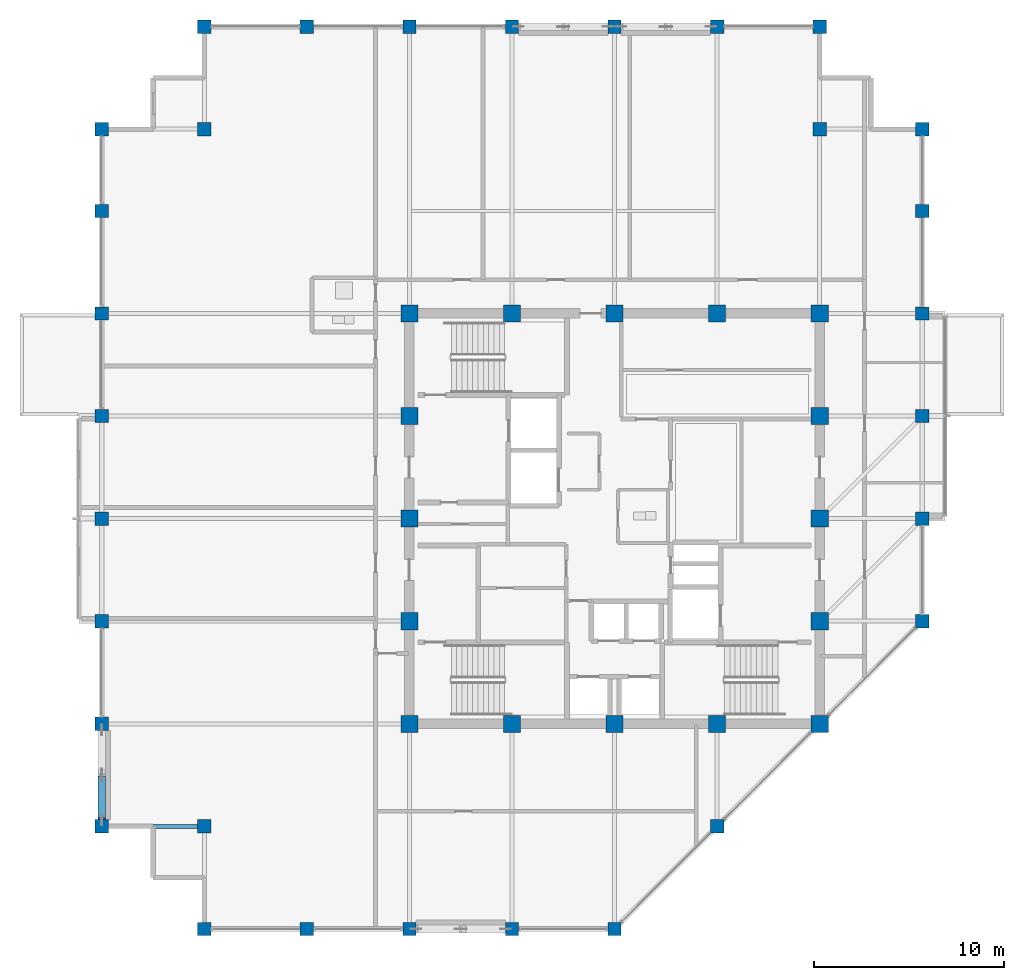
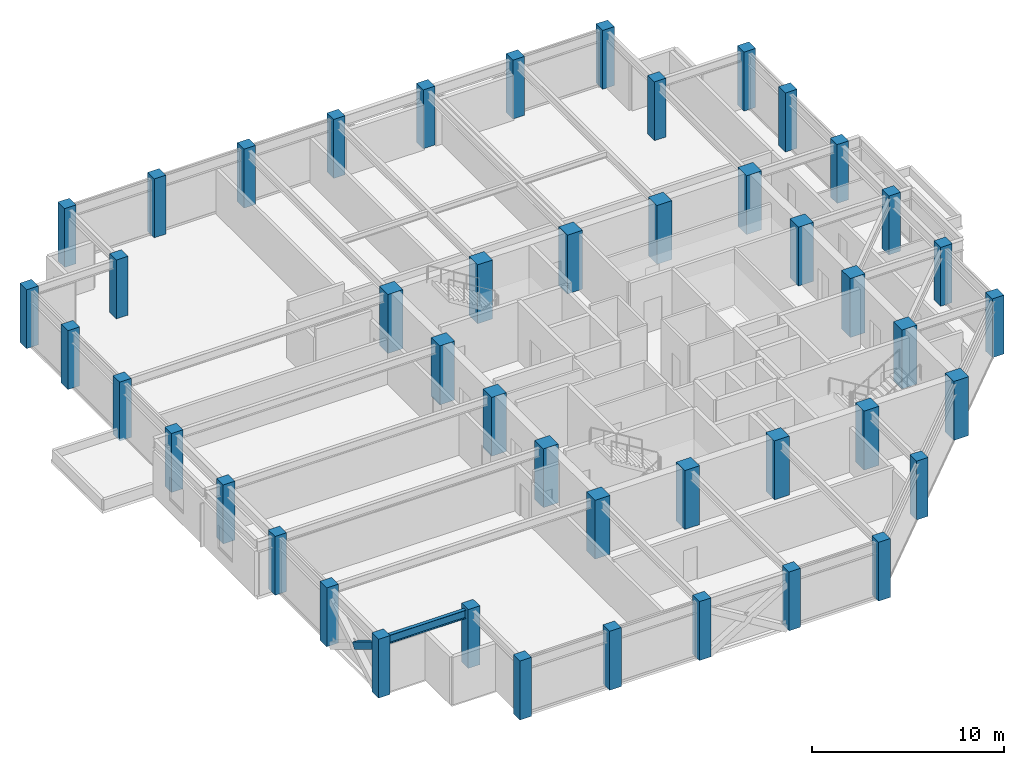
# One storey, part 1 of 31: 46 columns, 1 beam, 1 member.
"""IFC4 building model written with IfcOpenShell, lengths in metres."""

from ifc_helpers import new_model, si_unit, direction, frame, origin, origin_2d, place, context, subcontext, project, spatial, rectangle, hollow_rectangle, i_section, extrude, material, material_profile, profile_set, type_object, element, save


model = new_model("IFC4")

# Units and contexts
model_context = context("Model", 3, precision=1e-05, world=origin(), true_north=direction((0.0, 1.0)))
body_context = subcontext(model_context, "Body", "Model", "MODEL_VIEW")
ifc_project = project(units=[si_unit("LENGTHUNIT", "METRE"), si_unit("AREAUNIT", "SQUARE_METRE"), si_unit("VOLUMEUNIT", "CUBIC_METRE"), si_unit("PLANEANGLEUNIT", "RADIAN"), si_unit("MASSUNIT", "GRAM", prefix="KILO")], contexts=[model_context])

# Site, building, storey
site_placement = place(None, origin())
site = spatial("IfcSite", under=ifc_project, at=site_placement, CompositionType="ELEMENT")
building_placement = place(site_placement, origin())
building = spatial("IfcBuilding", under=site, at=building_placement, Name="Surkhivell Harbour Commons", CompositionType="ELEMENT")
storey_placement = place(building_placement, frame((0.0, 0.0, 270.0)))
storey = spatial("IfcBuildingStorey", under=building, at=storey_placement, Name="L70", CompositionType="ELEMENT", Elevation=270.0)

# Columns
ifc_material_1 = material(Name="Concrete C60/75", Category="concrete")
ifc_material_profile_1 = material_profile(ifc_material_1, rectangle(XDim=0.89990234375, YDim=0.89990234375, at=origin_2d()), Name="RC-COL-900x900")
ifc_profile_set_1 = profile_set([ifc_material_profile_1], Name="Concrete C60/75")
column_type_1 = type_object("IfcColumnType", Name="COL-TUBE-Z3A", PredefinedType="COLUMN", material=ifc_profile_set_1)
for number, where, z_axis, x_axis, name in (
    (1, (-10.800048828125, -10.800048828125, 0.0), (0.0, 0.0, 1.0), (1.0, 0.0, 0.0), "L70 Column CT-3A (-10.8,-10.8)"),
    (2, (-10.800048828125, -5.39990234375, 0.0), (0.0, 0.0, 1.0), (1.0, 0.0, 0.0), "L70 Column CT-3A (-10.8,-5.4)"),
    (3, (-10.800048828125, 0.0, 0.0), (0.0, 0.0, 1.0), (1.0, 0.0, 0.0), "L70 Column CT-3A (-10.8,0.0)"),
    (4, (-10.800048828125, 5.39990234375, 0.0), (0.0, 0.0, 1.0), (1.0, 0.0, 0.0), "L70 Column CT-3A (-10.8,5.4)"),
    (5, (-10.800048828125, 10.800048828125, 0.0), (0.0, 0.0, 1.0), (1.0, 0.0, 0.0), "L70 Column CT-3A (-10.8,10.8)"),
    (6, (-5.39990234375, -10.800048828125, 0.0), (0.0, 0.0, 1.0), (1.0, 0.0, 0.0), "L70 Column CT-3A (-5.4,-10.8)"),
    (7, (-5.39990234375, 10.800048828125, 0.0), (0.0, 0.0, 1.0), (1.0, 0.0, 0.0), "L70 Column CT-3A (-5.4,10.8)"),
    (8, (0.0, -10.800048828125, 0.0), (0.0, 0.0, 1.0), (1.0, 0.0, 0.0), "L70 Column CT-3A (0.0,-10.8)"),
    (9, (0.0, 10.800048828125, 0.0), (0.0, 0.0, 1.0), (1.0, 0.0, 0.0), "L70 Column CT-3A (0.0,10.8)"),
    (10, (5.39990234375, -10.800048828125, 0.0), (0.0, 0.0, 1.0), (1.0, 0.0, 0.0), "L70 Column CT-3A (5.4,-10.8)"),
    (11, (5.39990234375, 10.800048828125, 0.0), (0.0, 0.0, 1.0), (1.0, 0.0, 0.0), "L70 Column CT-3A (5.4,10.8)"),
    (12, (10.800048828125, -10.800048828125, 0.0), (0.0, 0.0, 1.0), (1.0, 0.0, 0.0), "L70 Column CT-3A (10.8,-10.8)"),
    (13, (10.800048828125, -5.39990234375, 0.0), (0.0, 0.0, 1.0), (1.0, 0.0, 0.0), "L70 Column CT-3A (10.8,-5.4)"),
    (14, (10.800048828125, 0.0, 0.0), (0.0, 0.0, 1.0), (1.0, 0.0, 0.0), "L70 Column CT-3A (10.8,0.0)"),
    (15, (10.800048828125, 5.39990234375, 0.0), (0.0, 0.0, 1.0), (1.0, 0.0, 0.0), "L70 Column CT-3A (10.8,5.4)"),
    (16, (10.800048828125, 10.800048828125, 0.0), (0.0, 0.0, 1.0), (1.0, 0.0, 0.0), "L70 Column CT-3A (10.8,10.8)"),
):
    element("IfcColumn", number, at=place(storey_placement, frame(where, z_axis=z_axis, x_axis=x_axis)), inside=storey, type_object=column_type_1, Name=name, PredefinedType="COLUMN", context=body_context, shape_type="SweptSolid", body=[
        extrude(rectangle(XDim=0.89990234375, YDim=0.89990234375, at=origin_2d()), origin(), (0.0, 0.0, 1.0), 3.75),
    ])
ifc_material_2 = material(Name="Concrete C50/60", Category="concrete")
ifc_material_profile_2 = material_profile(ifc_material_2, rectangle(XDim=0.699951171875, YDim=0.699951171875, at=origin_2d()), Name="RC-COL-700x700")
ifc_profile_set_2 = profile_set([ifc_material_profile_2], Name="Concrete C50/60")
column_type_2 = type_object("IfcColumnType", Name="COL-TUBE-Z4", PredefinedType="COLUMN", material=ifc_profile_set_2)
for number, where, z_axis, x_axis, name in (
    (17, (-27.0, -16.199951171875, 0.0), (0.0, 0.0, 1.0), (1.0, 0.0, 0.0), "L70 Column CT-4 (-27.0,-16.2)"),
    (18, (-27.0, -10.800048828125, 0.0), (0.0, 0.0, 1.0), (1.0, 0.0, 0.0), "L70 Column CT-4 (-27.0,-10.8)"),
    (19, (-27.0, -5.39990234375, 0.0), (0.0, 0.0, 1.0), (1.0, 0.0, 0.0), "L70 Column CT-4 (-27.0,-5.4)"),
    (20, (-27.0, 0.0, 0.0), (0.0, 0.0, 1.0), (1.0, 0.0, 0.0), "L70 Column CT-4 (-27.0,0.0)"),
    (21, (-27.0, 5.39990234375, 0.0), (0.0, 0.0, 1.0), (1.0, 0.0, 0.0), "L70 Column CT-4 (-27.0,5.4)"),
    (22, (-27.0, 10.800048828125, 0.0), (0.0, 0.0, 1.0), (1.0, 0.0, 0.0), "L70 Column CT-4 (-27.0,10.8)"),
    (23, (-27.0, 16.199951171875, 0.0), (0.0, 0.0, 1.0), (1.0, 0.0, 0.0), "L70 Column CT-4 (-27.0,16.2)"),
    (24, (-27.0, 20.5, 0.0), (0.0, 0.0, 1.0), (1.0, 0.0, 0.0), "L70 Column CT-4 (-27.0,20.5)"),
    (25, (-21.60009765625, -21.60009765625, 0.0), (0.0, 0.0, 1.0), (1.0, 0.0, 0.0), "L70 Column CT-4 (-21.6,-21.6)"),
    (26, (-21.60009765625, -16.199951171875, 0.0), (0.0, 0.0, 1.0), (1.0, 0.0, 0.0), "L70 Column CT-4 (-21.6,-16.2)"),
    (27, (-21.60009765625, 20.5, 0.0), (0.0, 0.0, 1.0), (1.0, 0.0, 0.0), "L70 Column CT-4 (-21.6,20.5)"),
    (28, (-21.60009765625, 25.89990234375, 0.0), (0.0, 0.0, 1.0), (1.0, 0.0, 0.0), "L70 Column CT-4 (-21.6,25.9)"),
    (29, (-16.199951171875, -21.60009765625, 0.0), (0.0, 0.0, 1.0), (1.0, 0.0, 0.0), "L70 Column CT-4 (-16.2,-21.6)"),
    (30, (-16.199951171875, 25.89990234375, 0.0), (0.0, 0.0, 1.0), (1.0, 0.0, 0.0), "L70 Column CT-4 (-16.2,25.9)"),
    (31, (-10.800048828125, -21.60009765625, 0.0), (0.0, 0.0, 1.0), (1.0, 0.0, 0.0), "L70 Column CT-4 (-10.8,-21.6)"),
    (32, (-10.800048828125, 25.89990234375, 0.0), (0.0, 0.0, 1.0), (1.0, 0.0, 0.0), "L70 Column CT-4 (-10.8,25.9)"),
    (33, (-5.39990234375, -21.60009765625, 0.0), (0.0, 0.0, 1.0), (1.0, 0.0, 0.0), "L70 Column CT-4 (-5.4,-21.6)"),
    (34, (-5.39990234375, 25.89990234375, 0.0), (0.0, 0.0, 1.0), (1.0, 0.0, 0.0), "L70 Column CT-4 (-5.4,25.9)"),
    (35, (0.0, -21.60009765625, 0.0), (0.0, 0.0, 1.0), (1.0, 0.0, 0.0), "L70 Column CT-4 (-0.0,-21.6)"),
    (36, (0.0, 25.89990234375, 0.0), (0.0, 0.0, 1.0), (1.0, 0.0, 0.0), "L70 Column CT-4 (-0.0,25.9)"),
    (37, (5.39990234375, -16.199951171875, 0.0), (0.0, 0.0, 1.0), (1.0, 0.0, 0.0), "L70 Column CT-4 (5.4,-16.2)"),
    (38, (5.39990234375, 25.89990234375, 0.0), (0.0, 0.0, 1.0), (1.0, 0.0, 0.0), "L70 Column CT-4 (5.4,25.9)"),
    (39, (10.800048828125, 20.5, 0.0), (0.0, 0.0, 1.0), (1.0, 0.0, 0.0), "L70 Column CT-4 (10.8,20.5)"),
    (40, (10.800048828125, 25.89990234375, 0.0), (0.0, 0.0, 1.0), (1.0, 0.0, 0.0), "L70 Column CT-4 (10.8,25.9)"),
    (41, (16.199951171875, -5.39990234375, 0.0), (0.0, 0.0, 1.0), (1.0, 0.0, 0.0), "L70 Column CT-4 (16.2,-5.4)"),
    (42, (16.199951171875, 0.0, 0.0), (0.0, 0.0, 1.0), (1.0, 0.0, 0.0), "L70 Column CT-4 (16.2,0.0)"),
    (43, (16.199951171875, 5.39990234375, 0.0), (0.0, 0.0, 1.0), (1.0, 0.0, 0.0), "L70 Column CT-4 (16.2,5.4)"),
    (44, (16.199951171875, 10.800048828125, 0.0), (0.0, 0.0, 1.0), (1.0, 0.0, 0.0), "L70 Column CT-4 (16.2,10.8)"),
    (45, (16.199951171875, 16.199951171875, 0.0), (0.0, 0.0, 1.0), (1.0, 0.0, 0.0), "L70 Column CT-4 (16.2,16.2)"),
    (46, (16.199951171875, 20.5, 0.0), (0.0, 0.0, 1.0), (1.0, 0.0, 0.0), "L70 Column CT-4 (16.2,20.5)"),
):
    element("IfcColumn", number, at=place(storey_placement, frame(where, z_axis=z_axis, x_axis=x_axis)), inside=storey, type_object=column_type_2, Name=name, PredefinedType="COLUMN", context=body_context, shape_type="SweptSolid", body=[
        extrude(rectangle(XDim=0.699951171875, YDim=0.699951171875, at=origin_2d()), origin(), (0.0, 0.0, 1.0), 3.75),
    ])

# Beam
ifc_material_3 = material(Name="Steel S355", Category="steel")
ifc_material_profile_3 = material_profile(ifc_material_3, i_section(OverallWidth=0.2099609375, OverallDepth=0.537109375, WebThickness=0.0107421875, FlangeThickness=0.017333984375, at=origin_2d()), Name="UB533x210x101")
ifc_profile_set_3 = profile_set([ifc_material_profile_3], Name="Steel S355")
beam_type = type_object("IfcBeamType", Name="BM-GRD-533B", PredefinedType="BEAM", material=ifc_profile_set_3)
beam_placement = place(storey_placement, frame((-27.0, -16.199951171875, 3.301513671875), z_axis=(1.0, 0.0, 0.0), x_axis=(0.0, 1.0, 0.0)))
element("IfcBeam", 47, at=beam_placement, inside=storey, type_object=beam_type, Name="L70 Floor Girder (-27.0,-16.2)", PredefinedType="BEAM", context=body_context, shape_type="SweptSolid", body=[
    extrude(i_section(OverallWidth=0.2099609375, OverallDepth=0.537109375, WebThickness=0.0107421875, FlangeThickness=0.017333984375, at=origin_2d()), origin(), (0.0, 0.0, 1.0), 5.39990234375),
])

# Member
ifc_material_4 = material(Name="Steel S460", Category="steel")
ifc_material_profile_4 = material_profile(ifc_material_4, hollow_rectangle(XDim=0.39990234375, YDim=0.39990234375, WallThickness=0.02001953125, at=origin_2d()), Name="SHS400x400x20")
ifc_profile_set_4 = profile_set([ifc_material_profile_4], Name="Steel S460")
member_type = type_object("IfcMemberType", Name="MEM-BRC-SHS400", PredefinedType="BRACE", material=ifc_profile_set_4)
member_placement = place(storey_placement, frame((-27.0, -13.6640625, 1.544189453125), z_axis=(0.0, -0.854677846108, 0.519158722716), x_axis=(1.0, 0.0, 0.0)))
element("IfcMember", 48, at=member_placement, inside=storey, type_object=member_type, Name="L70 Perimeter Mega-Brace MB- 12", PredefinedType="BRACE", context=body_context, shape_type="SweptSolid", body=[
    extrude(hollow_rectangle(XDim=0.39990234375, YDim=0.39990234375, WallThickness=0.02001953125, at=origin_2d()), origin(), (0.0, 0.0, 1.0), 2.5751953125),
])

save(model, "model.ifc")
